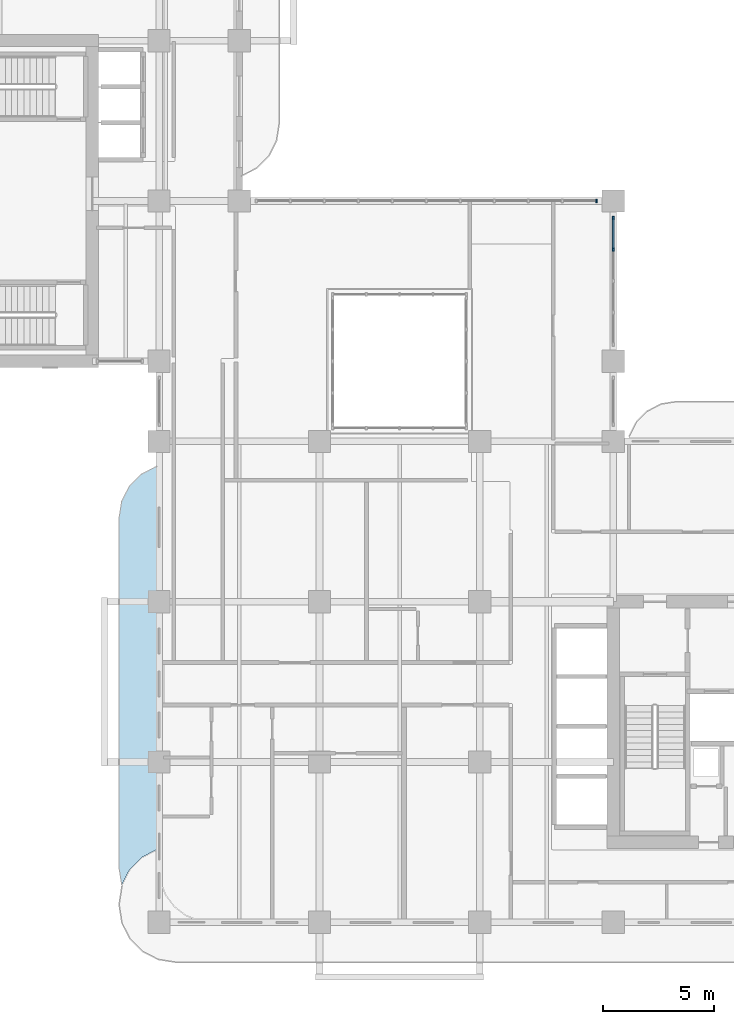
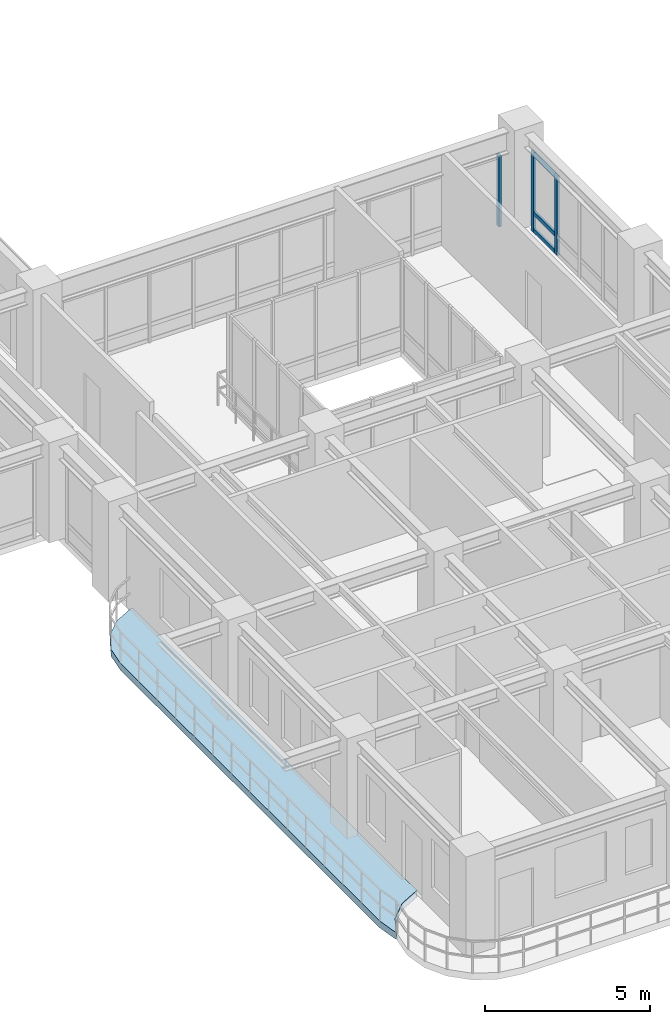
# One storey, part 7 of 20: 6 members, 1 slab, 2 elements without a shape of their own.
"""IFC4 building model written with IfcOpenShell, lengths in metres."""

from ifc_helpers import new_model, si_unit, derived_unit, direction, frame, origin, origin_2d, place, context, subcontext, project, spatial, polyline, rectangle, outline, extrude, source, transform, mapped, material, layer, layer_set, material_profile, profile_set, type_object, element, aggregate, save


model = new_model("IFC4")

# Units and contexts
model_context = context("Model", 3, precision=1e-05, world=origin(), true_north=direction((0.0, 1.0)))
body_context = subcontext(model_context, "Body", "Model", "MODEL_VIEW")
ifc_project = project(units=[si_unit("LENGTHUNIT", "METRE"), si_unit("AREAUNIT", "SQUARE_METRE"), si_unit("VOLUMEUNIT", "CUBIC_METRE"), si_unit("PLANEANGLEUNIT", "RADIAN"), si_unit("MASSUNIT", "GRAM", prefix="KILO"), si_unit("THERMODYNAMICTEMPERATUREUNIT", "KELVIN"), si_unit("POWERUNIT", "WATT"), derived_unit("THERMALTRANSMITTANCEUNIT", [(si_unit("POWERUNIT", "WATT"), 1), (si_unit("AREAUNIT", "SQUARE_METRE"), -1), (si_unit("THERMODYNAMICTEMPERATUREUNIT", "KELVIN"), -1)])], contexts=[model_context])

# Site, building, storey
site_placement = place(None, origin())
site = spatial("IfcSite", under=ifc_project, at=site_placement, CompositionType="ELEMENT")
building_placement = place(site_placement, origin())
building = spatial("IfcBuilding", under=site, at=building_placement, Name="Zahravan Archway Hotel and Residences", CompositionType="ELEMENT")
storey_placement = place(building_placement, frame((0.0, 0.0, 111.800048828125)))
storey = spatial("IfcBuildingStorey", under=building, at=storey_placement, Name="L27", CompositionType="ELEMENT", Elevation=111.800048828125)

# Curtain wall, members
ifc_material_1 = material(Name="Bronze-Anodized Unitised Aluminium & Low-E Glass", Category="aluminium")
ifc_layer_1 = layer(ifc_material_1, 0.179931640625, Name="Bronze-Anodized Unitised Aluminium & Low-E Glass", Category="aluminium")
ifc_layer_set_1 = layer_set([ifc_layer_1], Name="Bronze-Anodized Unitised Aluminium & Low-E Glass")
curtain_wall_type = type_object("IfcCurtainWallType", Name="CW-ATR-GLAZ", PredefinedType="NOTDEFINED", material=ifc_layer_set_1)
curtain_wall_1_placement = place(storey_placement, origin())
curtain_wall_1 = element("IfcCurtainWall", 1, at=curtain_wall_1_placement, inside=storey, type_object=curtain_wall_type, Name="L27 Curtain Wall CW-L27-HNG-E-2", PredefinedType="NOTDEFINED")
ifc_material_2 = material(Name="Bronze-Anodized Extruded Aluminium", Category="aluminium")
ifc_material_profile_1 = material_profile(ifc_material_2, rectangle(XDim=0.080078125, YDim=0.139892578125, at=origin_2d()), Name="TRN 80x140", Category="aluminium")
ifc_profile_set_1 = profile_set([ifc_material_profile_1], Name="Bronze-Anodized Extruded Aluminium")
member_type_1 = type_object("IfcMemberType", Name="CWM-TRN-140", PredefinedType="USERDEFINED", material=ifc_profile_set_1)
shared_shape_1 = source(origin(), body_context, "Body", "SweptSolid", [
    extrude(rectangle(XDim=0.080078125, YDim=0.139892578125, at=origin_2d()), origin(), (0.0, 0.0, 1.0), 1.340087890625),
])
member_1_placement = place(storey_placement, frame((34.800048828125, 30.260009765625, 0.070068359375), z_axis=(0.0, 1.0, 0.0), x_axis=(-1.0, 0.0, 0.0)))
member_1 = element("IfcMember", 2, at=member_1_placement, type_object=member_type_1, Name="CW-L27-HNG-E-2 Transom 3-1", ObjectType="TRANSOM", PredefinedType="USERDEFINED", context=body_context, shape_type="MappedRepresentation", body=[
    mapped(shared_shape_1, transform((0.0, 0.0, 0.0), scale=1.0)),
])
member_2_placement = place(storey_placement, frame((34.800048828125, 30.260009765625, 0.704345703125), z_axis=(0.0, 1.0, 0.0), x_axis=(-1.0, 0.0, 0.0)))
member_2 = element("IfcMember", 3, at=member_2_placement, type_object=member_type_1, Name="CW-L27-HNG-E-2 Transom 3-2", ObjectType="TRANSOM", PredefinedType="USERDEFINED", context=body_context, shape_type="MappedRepresentation", body=[
    mapped(shared_shape_1, transform((0.0, 0.0, 0.0), scale=1.0)),
])
member_3_placement = place(storey_placement, frame((34.800048828125, 30.260009765625, 2.864990234375), z_axis=(0.0, 1.0, 0.0), x_axis=(-1.0, 0.0, 0.0)))
member_3 = element("IfcMember", 4, at=member_3_placement, type_object=member_type_1, Name="CW-L27-HNG-E-2 Transom 3-3", ObjectType="TRANSOM", PredefinedType="USERDEFINED", context=body_context, shape_type="MappedRepresentation", body=[
    mapped(shared_shape_1, transform((0.0, 0.0, 0.0), scale=1.0)),
])

# Curtain wall, member
curtain_wall_2_placement = place(storey_placement, origin())
curtain_wall_2 = element("IfcCurtainWall", 5, at=curtain_wall_2_placement, inside=storey, type_object=curtain_wall_type, Name="L27 Curtain Wall CW-L27-HNG-N-1", PredefinedType="NOTDEFINED")
ifc_material_profile_2 = material_profile(ifc_material_2, rectangle(XDim=0.080078125, YDim=0.159912109375, at=origin_2d()), Name="MUL 80x160", Category="aluminium")
ifc_profile_set_2 = profile_set([ifc_material_profile_2], Name="Bronze-Anodized Extruded Aluminium")
member_type_2 = type_object("IfcMemberType", Name="CWM-MUL-160", PredefinedType="MULLION", material=ifc_profile_set_2)
shared_shape_2 = source(origin(), body_context, "Body", "SweptSolid", [
    extrude(rectangle(XDim=0.080078125, YDim=0.159912109375, at=origin_2d()), origin(), (0.0, 0.0, 1.0), 2.635009765625),
])
member_4_placement = place(storey_placement, frame((34.0400390625, 32.39990234375, 0.0), z_axis=(0.0, 0.0, 1.0), x_axis=(1.0, 0.0, 0.0)))
member_4 = element("IfcMember", 6, at=member_4_placement, type_object=member_type_2, Name="CW-L27-HNG-N-1 Mullion 10", PredefinedType="MULLION", context=body_context, shape_type="MappedRepresentation", body=[
    mapped(shared_shape_2, transform((0.0, 0.0, 0.0), scale=1.0)),
])
aggregate(curtain_wall_2, [member_4])

# Member
shared_shape_3 = source(origin(), body_context, "Body", "SweptSolid", [
    extrude(rectangle(XDim=0.080078125, YDim=0.159912109375, at=origin_2d()), origin(), (0.0, 0.0, 1.0), 2.93505859375),
])
member_5_placement = place(storey_placement, frame((34.800048828125, 30.219970703125, 0.0), z_axis=(0.0, 0.0, 1.0), x_axis=(1.0, 0.0, 0.0)))
member_5 = element("IfcMember", 7, at=member_5_placement, type_object=member_type_2, Name="CW-L27-HNG-E-2 Mullion 3", PredefinedType="MULLION", context=body_context, shape_type="MappedRepresentation", body=[
    mapped(shared_shape_3, transform((0.0, 0.0, 0.0), scale=1.0)),
])

member_6_placement = place(storey_placement, frame((34.800048828125, 31.639892578125, 0.0), z_axis=(0.0, 0.0, 1.0), x_axis=(1.0, 0.0, 0.0)))
member_6 = element("IfcMember", 8, at=member_6_placement, type_object=member_type_2, Name="CW-L27-HNG-E-2 Mullion 4", PredefinedType="MULLION", context=body_context, shape_type="MappedRepresentation", body=[
    mapped(shared_shape_3, transform((0.0, 0.0, 0.0), scale=1.0)),
])

aggregate(curtain_wall_1, [member_5, member_6, member_1, member_2, member_3])

# Slab
ifc_material_3 = material(Name="Concrete C45/55", Category="concrete")
ifc_layer_2 = layer(ifc_material_3, 0.25, Name="Concrete C45/55", Category="concrete")
ifc_layer_set_2 = layer_set([ifc_layer_2], Name="Concrete C45/55")
slab_type = type_object("IfcSlabType", Name="SLB-BALC-250", PredefinedType="FLOOR", material=ifc_layer_set_2)
slab_placement = place(storey_placement, frame((0.0, 0.0, -0.25)))
element("IfcSlab", 9, at=slab_placement, inside=storey, type_object=slab_type, Name="L27 Wing A West Rounded Balcony Band", PredefinedType="FLOOR", context=body_context, shape_type="SweptSolid", body=[
    extrude(outline(polyline([(12.719970703125, 1.69287109375), (12.60009765625, 2.449951171875), (12.60009765625, 18.14990234375), (12.719970703125, 18.906982421875), (13.06787109375, 19.590087890625), (13.60986328125, 20.132080078125), (14.29296875, 20.47998046875), (14.3798828125, 20.493896484375), (14.3798828125, 3.298095703125), (14.37890625, 3.298095703125), (14.376953125, 3.2978515625), (14.35888671875, 3.294921875), (14.356689453125, 3.29443359375), (14.354736328125, 3.2939453125), (14.352783203125, 3.29296875), (13.64208984375, 2.930908203125), (13.64013671875, 2.9296875), (13.638427734375, 2.928466796875), (13.636962890625, 2.927001953125), (13.072998046875, 2.363037109375), (13.071533203125, 2.361572265625), (13.0703125, 2.35986328125), (13.069091796875, 2.35791015625), (12.72509765625, 1.6826171875), (12.719970703125, 1.69287109375)])), origin(), (0.0, 0.0, 1.0), 0.25),
])

save(model, "model.ifc")
